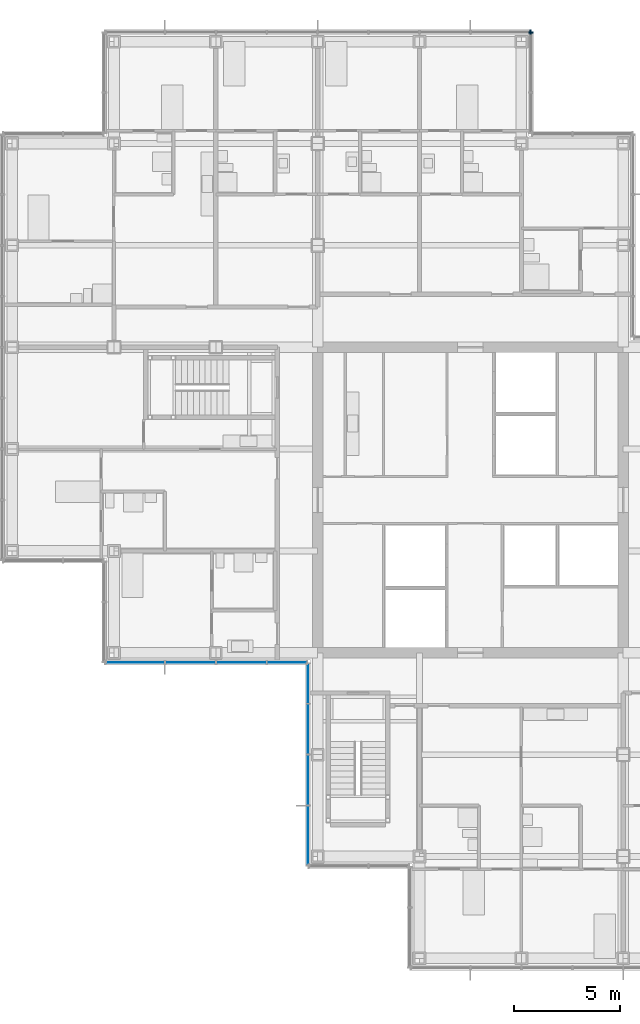
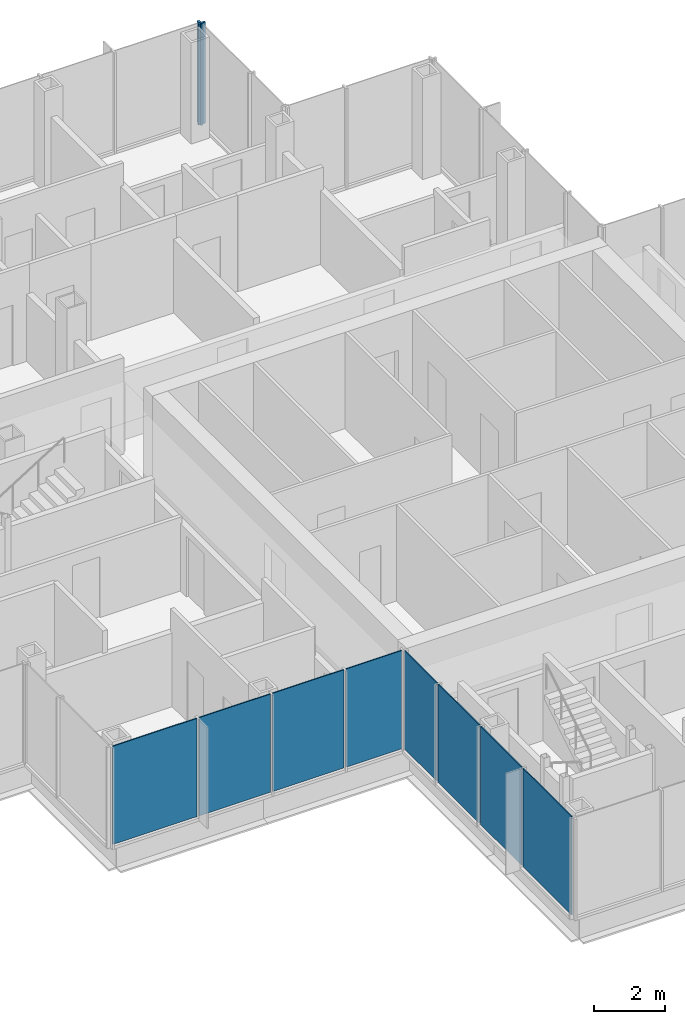
# One storey, part 11 of 20: 8 plates, 2 members, 4 elements without a shape of their own.
"""IFC4 building model written with IfcOpenShell, lengths in metres."""

from ifc_helpers import new_model, si_unit, direction, frame, origin, origin_2d, place, context, subcontext, project, spatial, rectangle, extrude, material, layer, layer_set, material_profile, profile_set, type_object, element, aggregate, save


model = new_model("IFC4")

# Units and contexts
model_context = context("Model", 3, precision=1e-05, world=origin(), true_north=direction((0.0, 1.0)))
body_context = subcontext(model_context, "Body", "Model", "MODEL_VIEW")
ifc_project = project(units=[si_unit("LENGTHUNIT", "METRE"), si_unit("AREAUNIT", "SQUARE_METRE"), si_unit("VOLUMEUNIT", "CUBIC_METRE"), si_unit("PLANEANGLEUNIT", "RADIAN"), si_unit("MASSUNIT", "GRAM", prefix="KILO")], contexts=[model_context])

# Site, building, storey
site_placement = place(None, origin())
site = spatial("IfcSite", under=ifc_project, at=site_placement, CompositionType="ELEMENT")
building_placement = place(site_placement, origin())
building = spatial("IfcBuilding", under=site, at=building_placement, Name="Kvirike Care Tower", CompositionType="ELEMENT")
storey_placement = place(building_placement, frame((0.0, 0.0, 122.5)))
storey = spatial("IfcBuildingStorey", under=building, at=storey_placement, Name="L33", CompositionType="ELEMENT", Elevation=122.5)

# Curtain wall, member
ifc_material_1 = material(Name="Anodised aluminium stick system", Category="aluminium")
curtain_wall_type = type_object("IfcCurtainWallType", Name="CW-B STICK CURTAIN WALL", PredefinedType="NOTDEFINED", material=ifc_material_1)
curtain_wall_1_placement = place(storey_placement, origin())
curtain_wall_1 = element("IfcCurtainWall", 1, at=curtain_wall_1_placement, inside=storey, type_object=curtain_wall_type, Name="Curtain wall L33 face 7", PredefinedType="NOTDEFINED")
ifc_material_2 = material(Name="Bronze anodised aluminium mullion", Category="aluminium")
ifc_material_profile = material_profile(ifc_material_2, rectangle(XDim=0.06494140625, YDim=0.219970703125, at=origin_2d()), Name="CW-B MULLION 65x220")
ifc_profile_set = profile_set([ifc_material_profile], Name="Bronze anodised aluminium mullion")
member_type = type_object("IfcMemberType", Name="CW-B MULLION 65x220", PredefinedType="MULLION", material=ifc_profile_set)
member_1_placement = place(storey_placement, frame((24.4599609375, 58.027587890625, 0.0), z_axis=(0.0, 0.0, 1.0), x_axis=(0.0, 1.0, 0.0)))
member_1 = element("IfcMember", 2, at=member_1_placement, type_object=member_type, Name="CW-B mullion L33 face 7.3", PredefinedType="MULLION", context=body_context, shape_type="SweptSolid", body=[
    extrude(rectangle(XDim=0.06494140625, YDim=0.219970703125, at=origin_2d()), origin(), (0.0, 0.0, 1.0), 3.5),
])
aggregate(curtain_wall_1, [member_1])

curtain_wall_2_placement = place(storey_placement, origin())
curtain_wall_2 = element("IfcCurtainWall", 3, at=curtain_wall_2_placement, inside=storey, type_object=curtain_wall_type, Name="Curtain wall L33 face 8", PredefinedType="NOTDEFINED")
member_2_placement = place(storey_placement, frame((24.427490234375, 58.06005859375, 0.0), z_axis=(0.0, 0.0, 1.0), x_axis=(-1.0, 0.0, 0.0)))
member_2 = element("IfcMember", 4, at=member_2_placement, type_object=member_type, Name="CW-B mullion L33 face 8.1", PredefinedType="MULLION", context=body_context, shape_type="SweptSolid", body=[
    extrude(rectangle(XDim=0.06494140625, YDim=0.219970703125, at=origin_2d()), origin(), (0.0, 0.0, 1.0), 3.5),
])
aggregate(curtain_wall_2, [member_2])

# Curtain wall, plates
curtain_wall_3_placement = place(storey_placement, origin())
curtain_wall_3 = element("IfcCurtainWall", 5, at=curtain_wall_3_placement, inside=storey, type_object=curtain_wall_type, Name="Curtain wall L33 face 14", PredefinedType="NOTDEFINED")
ifc_material_3 = material(Name="Tinted double glazed unit", Category="glass")
ifc_layer = layer(ifc_material_3, 0.035888671875)
ifc_layer_set = layer_set([ifc_layer], Name="TINTED VISION PANEL 36")
plate_type = type_object("IfcPlateType", Name="TINTED VISION PANEL 36", PredefinedType="CURTAIN_PANEL", material=ifc_layer_set)
plate_1_placement = place(storey_placement, frame((5.7861328125, 28.340087890625, 0.10009765625), z_axis=(0.0, 0.0, 1.0), x_axis=(1.0, 0.0, 0.0)))
plate_1 = element("IfcPlate", 6, at=plate_1_placement, type_object=plate_type, Name="CW-B panel L33 face 14.1", PredefinedType="CURTAIN_PANEL", context=body_context, shape_type="SweptSolid", body=[
    extrude(rectangle(XDim=2.762451171875, YDim=0.035888671875, at=origin_2d()), origin(), (0.0, 0.0, 1.0), 3.39990234375),
])
plate_2_placement = place(storey_placement, frame((8.39990234375, 28.340087890625, 0.10009765625), z_axis=(0.0, 0.0, 1.0), x_axis=(1.0, 0.0, 0.0)))
plate_2 = element("IfcPlate", 7, at=plate_2_placement, type_object=plate_type, Name="CW-B panel L33 face 14.2", PredefinedType="CURTAIN_PANEL", context=body_context, shape_type="SweptSolid", body=[
    extrude(rectangle(XDim=2.3349609375, YDim=0.035888671875, at=origin_2d()), origin(), (0.0, 0.0, 1.0), 3.39990234375),
])
plate_3_placement = place(storey_placement, frame((10.800048828125, 28.340087890625, 0.10009765625), z_axis=(0.0, 0.0, 1.0), x_axis=(1.0, 0.0, 0.0)))
plate_3 = element("IfcPlate", 8, at=plate_3_placement, type_object=plate_type, Name="CW-B panel L33 face 14.3", PredefinedType="CURTAIN_PANEL", context=body_context, shape_type="SweptSolid", body=[
    extrude(rectangle(XDim=2.3349609375, YDim=0.035888671875, at=origin_2d()), origin(), (0.0, 0.0, 1.0), 3.39990234375),
])
plate_4_placement = place(storey_placement, frame((12.953857421875, 28.340087890625, 0.10009765625), z_axis=(0.0, 0.0, 1.0), x_axis=(1.0, 0.0, 0.0)))
plate_4 = element("IfcPlate", 9, at=plate_4_placement, type_object=plate_type, Name="CW-B panel L33 face 14.4", PredefinedType="CURTAIN_PANEL", context=body_context, shape_type="SweptSolid", body=[
    extrude(rectangle(XDim=1.842529296875, YDim=0.035888671875, at=origin_2d()), origin(), (0.0, 0.0, 1.0), 3.39990234375),
])
aggregate(curtain_wall_3, [plate_1, plate_2, plate_3, plate_4])

curtain_wall_4_placement = place(storey_placement, origin())
curtain_wall_4 = element("IfcCurtainWall", 10, at=curtain_wall_4_placement, inside=storey, type_object=curtain_wall_type, Name="Curtain wall L33 face 15", PredefinedType="NOTDEFINED")
plate_5_placement = place(storey_placement, frame((13.93994140625, 27.353759765625, 0.10009765625), z_axis=(0.0, 0.0, 1.0), x_axis=(0.0, -1.0, 0.0)))
plate_5 = element("IfcPlate", 11, at=plate_5_placement, type_object=plate_type, Name="CW-B panel L33 face 15.1", PredefinedType="CURTAIN_PANEL", context=body_context, shape_type="SweptSolid", body=[
    extrude(rectangle(XDim=1.842529296875, YDim=0.035888671875, at=origin_2d()), origin(), (0.0, 0.0, 1.0), 3.39990234375),
])
plate_6_placement = place(storey_placement, frame((13.93994140625, 25.199951171875, 0.10009765625), z_axis=(0.0, 0.0, 1.0), x_axis=(0.0, -1.0, 0.0)))
plate_6 = element("IfcPlate", 12, at=plate_6_placement, type_object=plate_type, Name="CW-B panel L33 face 15.2", PredefinedType="CURTAIN_PANEL", context=body_context, shape_type="SweptSolid", body=[
    extrude(rectangle(XDim=2.3349609375, YDim=0.035888671875, at=origin_2d()), origin(), (0.0, 0.0, 1.0), 3.39990234375),
])
plate_7_placement = place(storey_placement, frame((13.93994140625, 22.800048828125, 0.10009765625), z_axis=(0.0, 0.0, 1.0), x_axis=(0.0, -1.0, 0.0)))
plate_7 = element("IfcPlate", 13, at=plate_7_placement, type_object=plate_type, Name="CW-B panel L33 face 15.3", PredefinedType="CURTAIN_PANEL", context=body_context, shape_type="SweptSolid", body=[
    extrude(rectangle(XDim=2.3349609375, YDim=0.035888671875, at=origin_2d()), origin(), (0.0, 0.0, 1.0), 3.39990234375),
])
plate_8_placement = place(storey_placement, frame((13.93994140625, 20.186279296875, 0.10009765625), z_axis=(0.0, 0.0, 1.0), x_axis=(0.0, -1.0, 0.0)))
plate_8 = element("IfcPlate", 14, at=plate_8_placement, type_object=plate_type, Name="CW-B panel L33 face 15.4", PredefinedType="CURTAIN_PANEL", context=body_context, shape_type="SweptSolid", body=[
    extrude(rectangle(XDim=2.762451171875, YDim=0.035888671875, at=origin_2d()), origin(), (0.0, 0.0, 1.0), 3.39990234375),
])
aggregate(curtain_wall_4, [plate_5, plate_6, plate_7, plate_8])

save(model, "model.ifc")
